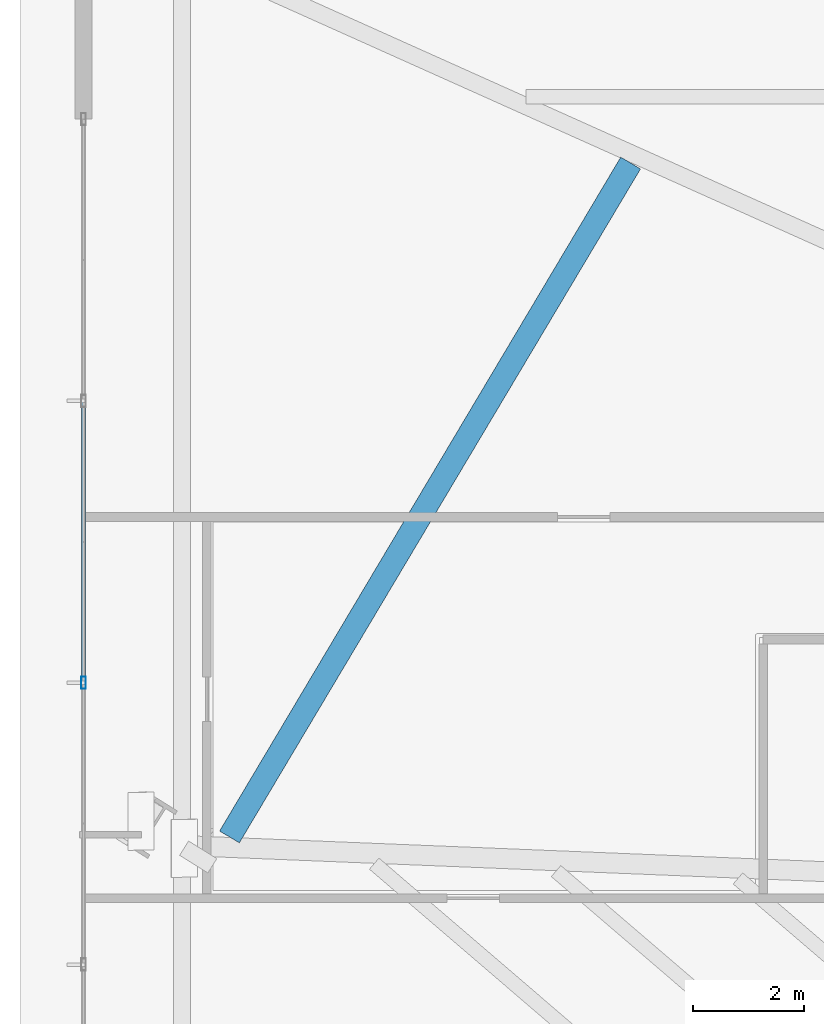
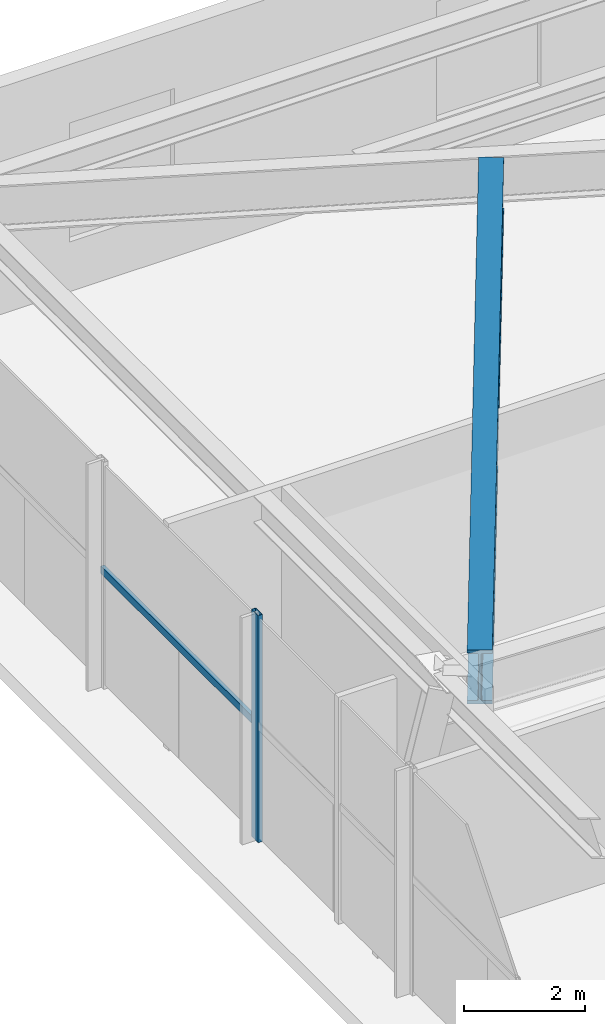
# One storey, part 8 of 31: 2 members, 1 beam, 1 element without a shape of its own.
"""IFC4 building model written with IfcOpenShell, lengths in metres."""

from ifc_helpers import new_model, si_unit, direction, frame, origin, origin_2d, place, context, subcontext, project, spatial, hollow_rectangle, i_section, extrude, source, transform, mapped, material, material_profile, profile_set, type_object, type_shapes, element, aggregate, save


model = new_model("IFC4")

# Units and contexts
model_context = context("Model", 3, precision=1e-05, world=origin(), true_north=direction((0.0, 1.0)))
body_context = subcontext(model_context, "Body", "Model", "MODEL_VIEW")
ifc_project = project(units=[si_unit("LENGTHUNIT", "METRE"), si_unit("AREAUNIT", "SQUARE_METRE"), si_unit("VOLUMEUNIT", "CUBIC_METRE"), si_unit("PLANEANGLEUNIT", "RADIAN"), si_unit("MASSUNIT", "GRAM", prefix="KILO")], contexts=[model_context])

# Site, building, storey
site_placement = place(None, origin())
site = spatial("IfcSite", under=ifc_project, at=site_placement, CompositionType="ELEMENT")
building_placement = place(site_placement, origin())
building = spatial("IfcBuilding", under=site, at=building_placement, Name="Astriad Promenade Condominiums", CompositionType="ELEMENT")
storey_placement = place(building_placement, origin())
storey = spatial("IfcBuildingStorey", under=building, at=storey_placement, Name="L00", CompositionType="ELEMENT", Elevation=0.0)

# Beam
ifc_material_1 = material(Name="Steel ASTM A992 Grade 50", Category="steel")
ifc_material_profile_1 = material_profile(ifc_material_1, i_section(OverallWidth=0.4169921875, OverallDepth=1.093505859375, WebThickness=0.0390625, FlangeThickness=0.070068359375, FilletRadius=0.025390625, at=origin_2d()), Name="W40X503")
ifc_profile_set_1 = profile_set([ifc_material_profile_1], Name="Steel ASTM A992 Grade 50")
beam_type = type_object("IfcBeamType", Name="STEEL TRANSFER GIRDER W40X503", PredefinedType="BEAM", material=ifc_profile_set_1)
shared_shape_1 = source(origin(), body_context, "Body", "SweptSolid", [
    extrude(i_section(OverallWidth=0.4169921875, OverallDepth=1.093505859375, WebThickness=0.0390625, FlangeThickness=0.070068359375, FilletRadius=0.025390625, at=origin_2d()), origin(), (0.0, 0.0, 1.0), 14.193603515625),
])
type_shapes(beam_type, [shared_shape_1])
beam_placement = place(storey_placement, frame((11.05078125, 30.705322265625, 4.033203125), z_axis=(-0.511500189275, -0.859283164255, 0.0), x_axis=(0.859283164255, -0.511500189275, 0.0)))
element("IfcBeam", 1, at=beam_placement, inside=storey, type_object=beam_type, Name="Transfer Splice Carrier TRM-SP-PC11-L00", PredefinedType="BEAM", context=body_context, shape_type="MappedRepresentation", body=[
    mapped(shared_shape_1, transform((0.0, 0.0, 0.0), scale=1.0)),
])

# Curtain wall, members
ifc_material_2 = material(Name="Anodised aluminium Black Dark Glass Unitised", Category="aluminium")
curtain_wall_type = type_object("IfcCurtainWallType", Name="CW-POD-DARK", PredefinedType="USERDEFINED", material=ifc_material_2)
curtain_wall_placement = place(storey_placement, origin())
curtain_wall = element("IfcCurtainWall", 2, at=curtain_wall_placement, inside=storey, type_object=curtain_wall_type, Name="CW-L00-W", ObjectType="UNITISED_CURTAIN_WALL", PredefinedType="USERDEFINED")
ifc_material_3 = material(Name="Anodised aluminium 6063-T6 Black", Category="aluminium")
ifc_material_profile_2 = material_profile(ifc_material_3, hollow_rectangle(XDim=0.0849609375, YDim=0.219970703125, WallThickness=0.0048828125, at=origin_2d()), Name="ALU-MUL-85X220")
ifc_profile_set_2 = profile_set([ifc_material_profile_2], Name="Anodised aluminium 6063-T6 Black")
member_type_1 = type_object("IfcMemberType", Name="MUL-ALU-MUL-85X220", PredefinedType="MULLION", material=ifc_profile_set_2)
shared_shape_2 = source(origin(), body_context, "Body", "SweptSolid", [
    extrude(hollow_rectangle(XDim=0.0849609375, YDim=0.219970703125, WallThickness=0.0048828125, at=origin_2d()), origin(), (0.0, 0.0, 1.0), 4.580078125),
])
type_shapes(member_type_1, [shared_shape_2])
member_1_placement = place(storey_placement, frame((1.14990234375, 21.300048828125, 0.0), z_axis=(0.0, 0.0, 1.0), x_axis=(1.0, 0.0, 0.0)))
member_1 = element("IfcMember", 3, at=member_1_placement, type_object=member_type_1, Name="CW-L00-W-MUL-03", PredefinedType="MULLION", context=body_context, shape_type="MappedRepresentation", body=[
    mapped(shared_shape_2, transform((0.0, 0.0, 0.0), scale=1.0)),
])
ifc_material_profile_3 = material_profile(ifc_material_3, hollow_rectangle(XDim=0.074951171875, YDim=0.14990234375, WallThickness=0.004150390625, at=origin_2d()), Name="ALU-TRN-75X150")
ifc_profile_set_3 = profile_set([ifc_material_profile_3], Name="Anodised aluminium 6063-T6 Black")
member_type_2 = type_object("IfcMemberType", Name="TRN-ALU-TRN-75X150", PredefinedType="USERDEFINED", material=ifc_profile_set_3)
shared_shape_3 = source(origin(), body_context, "Body", "SweptSolid", [
    extrude(hollow_rectangle(XDim=0.074951171875, YDim=0.14990234375, WallThickness=0.004150390625, at=origin_2d()), origin(), (0.0, 0.0, 1.0), 5.099853515625),
])
type_shapes(member_type_2, [shared_shape_3])
member_2_placement = place(storey_placement, frame((1.14990234375, 21.300048828125, 2.35009765625), z_axis=(0.0, 1.0, 0.0), x_axis=(-1.0, 0.0, 0.0)))
member_2 = element("IfcMember", 4, at=member_2_placement, type_object=member_type_2, Name="CW-L00-W-TRN-03-0", ObjectType="TRANSOM", PredefinedType="USERDEFINED", context=body_context, shape_type="MappedRepresentation", body=[
    mapped(shared_shape_3, transform((0.0, 0.0, 0.0), scale=1.0)),
])
aggregate(curtain_wall, [member_1, member_2])

save(model, "model.ifc")
